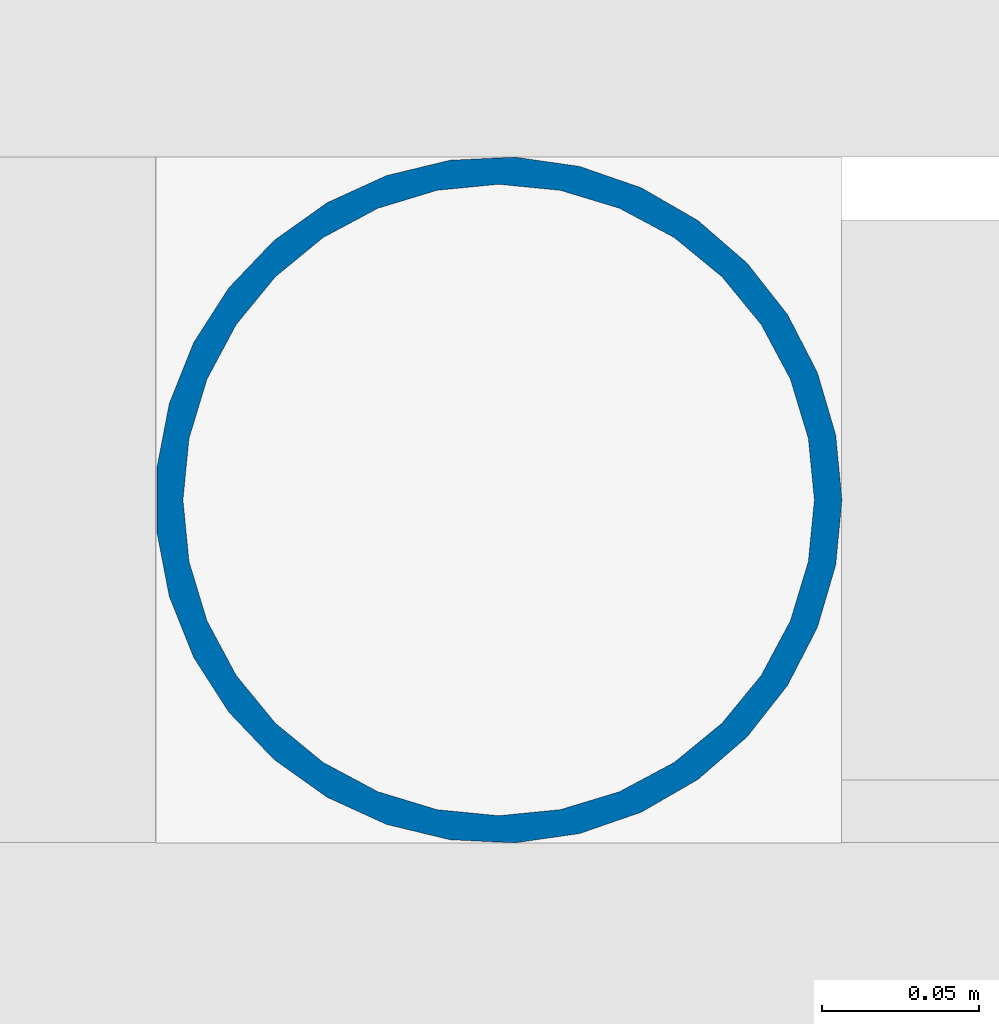
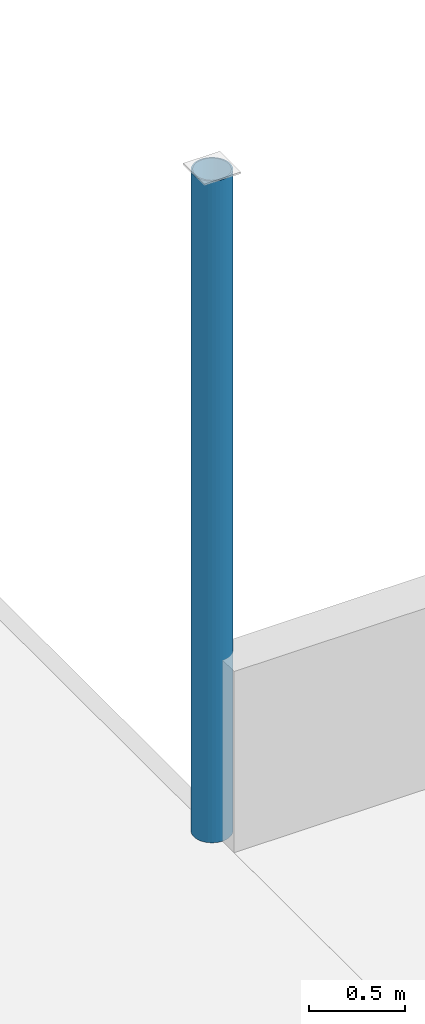
# One storey, part 2 of 64: 1 column.
"""IFC4 building model written with IfcOpenShell, lengths in metres."""

from ifc_helpers import new_model, si_unit, derived_unit, direction, frame, origin, origin_2d, place, context, subcontext, project, spatial, hollow_circle, extrude, material, material_profile, profile_set, type_object, element, save


model = new_model("IFC4")

# Units and contexts
model_context = context("Model", 3, precision=1e-05, world=origin(), true_north=direction((0.0, 1.0)))
body_context = subcontext(model_context, "Body", "Model", "MODEL_VIEW")
ifc_project = project(units=[si_unit("LENGTHUNIT", "METRE"), si_unit("AREAUNIT", "SQUARE_METRE"), si_unit("VOLUMEUNIT", "CUBIC_METRE"), si_unit("PLANEANGLEUNIT", "RADIAN"), si_unit("MASSUNIT", "GRAM", prefix="KILO"), derived_unit("THERMALTRANSMITTANCEUNIT", [(si_unit("POWERUNIT", "WATT"), 1), (si_unit("LENGTHUNIT", "METRE"), -2), (si_unit("THERMODYNAMICTEMPERATUREUNIT", "KELVIN"), -1)])], contexts=[model_context])

# Site, building, storey
site_placement = place(None, origin())
site = spatial("IfcSite", under=ifc_project, at=site_placement, CompositionType="ELEMENT")
building_placement = place(site_placement, origin())
building = spatial("IfcBuilding", under=site, at=building_placement, Name="Barrovel Congress Hotel", CompositionType="ELEMENT")
storey_placement = place(building_placement, frame((0.0, 0.0, 14.10009765625)))
storey = spatial("IfcBuildingStorey", under=building, at=storey_placement, Name="L03", CompositionType="ELEMENT", Elevation=14.10009765625)

# Column
ifc_material = material(Name="Steel ASTM A500 Grade C", Category="steel")
ifc_material_profile = material_profile(ifc_material, hollow_circle(Radius=0.109619140625, WallThickness=0.0087890625, at=origin_2d()), Name="CHS219.1x9.5")
ifc_profile_set = profile_set([ifc_material_profile], Name="Steel ASTM A500 Grade C")
column_type = type_object("IfcColumnType", Name="SCOL-CHS219.1x9.5", PredefinedType="COLUMN", material=ifc_profile_set)
column_placement = place(storey_placement, frame((58.800048828125, 46.199951171875, 0.0), z_axis=(0.0, 0.0, 1.0), x_axis=(1.0, 0.0, 0.0)))
element("IfcColumn", 1, at=column_placement, inside=storey, type_object=column_type, Name="COL:L03:58.8:46.2", PredefinedType="COLUMN", context=body_context, shape_type="SweptSolid", body=[
    extrude(hollow_circle(Radius=0.109619140625, WallThickness=0.0087890625, at=origin_2d()), origin(), (0.0, 0.0, 1.0), 4.199951171875),
])

save(model, "model.ifc")
